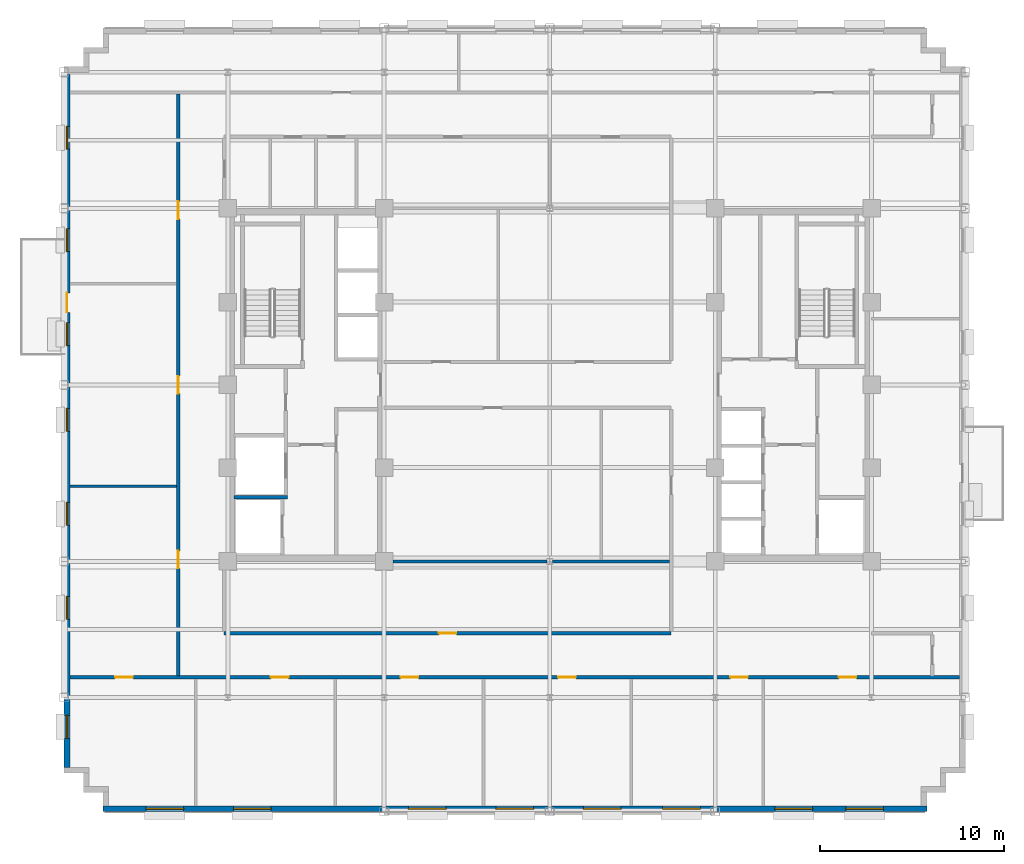
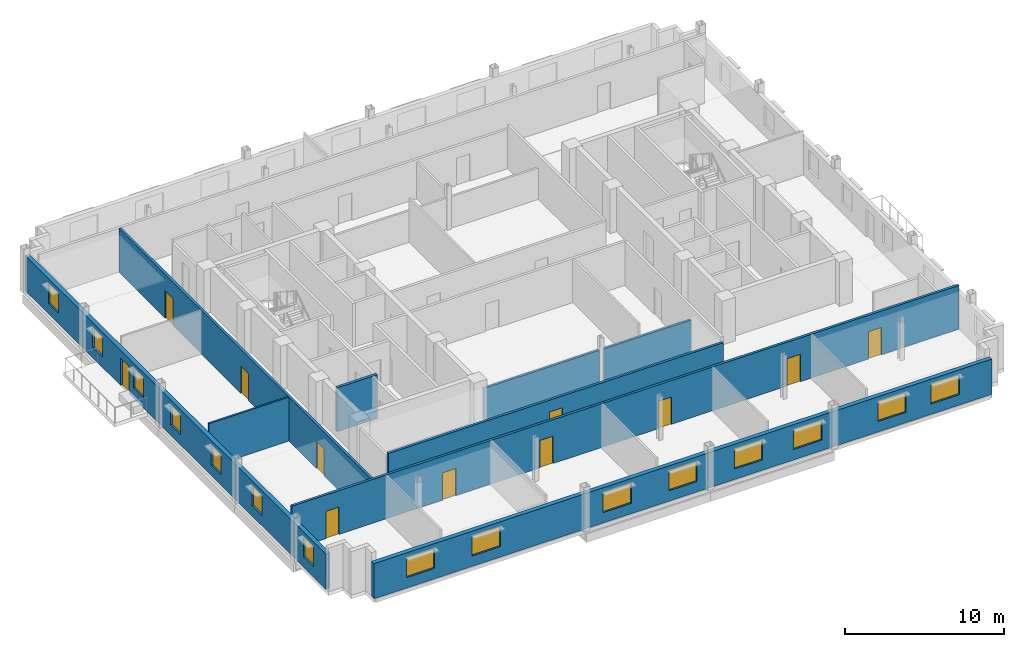
# One storey, part 7 of 15: 15 windows, 11 doors, 9 walls, 26 openings.
"""IFC4 building model written with IfcOpenShell, lengths in metres."""

from ifc_helpers import new_model, si_unit, direction, frame, frame_2d, origin, place, context, subcontext, project, spatial, rectangle, extrude, source, transform, mapped, material, layer, layer_set, type_object, type_shapes, element, fill, save


model = new_model("IFC4")

# Units and contexts
model_context = context("Model", 3, precision=1e-05, world=origin(), true_north=direction((0.0, 1.0)))
body_context = subcontext(model_context, "Body", "Model", "MODEL_VIEW")
ifc_project = project(units=[si_unit("LENGTHUNIT", "METRE"), si_unit("AREAUNIT", "SQUARE_METRE"), si_unit("VOLUMEUNIT", "CUBIC_METRE"), si_unit("PLANEANGLEUNIT", "RADIAN"), si_unit("MASSUNIT", "GRAM", prefix="KILO")], contexts=[model_context])

# Site, building, storey
site_placement = place(None, origin())
site = spatial("IfcSite", under=ifc_project, at=site_placement, CompositionType="ELEMENT")
building_placement = place(site_placement, origin())
building = spatial("IfcBuilding", under=site, at=building_placement, Name="Nuvemarco Arch Tower", CompositionType="ELEMENT")
storey_placement = place(building_placement, frame((0.0, 0.0, 198.199951171875)))
storey = spatial("IfcBuildingStorey", under=building, at=storey_placement, Name="L52", CompositionType="ELEMENT", Elevation=198.199951171875)

# Wall, openings, windows
ifc_material_1 = material(Name="Precast concrete C45/55", Category="concrete")
ifc_layer_1 = layer(ifc_material_1, 0.31005859375, Name="EW-UPP-310")
ifc_layer_set_1 = layer_set([ifc_layer_1], Name="Precast concrete C45/55")
wall_type_1 = type_object("IfcWallType", Name="EW-UPP-310", PredefinedType="STANDARD", material=ifc_layer_set_1)
wall_1_placement = place(storey_placement, frame((-24.300048828125, -23.044921875, 0.0), z_axis=(0.0, 0.0, 1.0), x_axis=(1.0, 0.0, 0.0)))
wall_1 = element("IfcWall", 1, at=wall_1_placement, inside=storey, type_object=wall_type_1, Name="L52 exterior precast facade wall 1", PredefinedType="STANDARD", context=body_context, shape_type="SweptSolid", body=[
    extrude(rectangle(XDim=44.800048828125, YDim=0.31005859375, at=frame_2d((22.39990234375, 0.0))), origin(), (0.0, 0.0, 1.0), 2.705078125),
])
opening_1_placement = place(wall_1_placement, frame((2.352783203125, 0.0, 0.800048828125)))
opening_1 = element("IfcOpeningElement", 2, at=opening_1_placement, cuts=wall_1, Name="Opening WN-12", PredefinedType="OPENING", context=body_context, shape_type="SweptSolid", body=[
    extrude(rectangle(XDim=2.050048828125, YDim=1.52001953125, at=frame_2d((1.02490234375, 0.760009765625))), frame((0.0, 0.1650390625, 0.0), z_axis=(0.0, -1.0, 0.0), x_axis=(1.0, 0.0, 0.0)), (0.0, 0.0, 1.0), 0.330078125),
])
opening_2_placement = place(wall_1_placement, frame((7.1083984375, 0.0, 0.800048828125)))
opening_2 = element("IfcOpeningElement", 3, at=opening_2_placement, cuts=wall_1, Name="Opening WN-12", PredefinedType="OPENING", context=body_context, shape_type="SweptSolid", body=[
    extrude(rectangle(XDim=2.050048828125, YDim=1.52001953125, at=frame_2d((1.02490234375, 0.760009765625))), frame((0.0, 0.1650390625, 0.0), z_axis=(0.0, -1.0, 0.0), x_axis=(1.0, 0.0, 0.0)), (0.0, 0.0, 1.0), 0.330078125),
])
opening_3_placement = place(wall_1_placement, frame((16.619384765625, 0.0, 0.800048828125)))
opening_3 = element("IfcOpeningElement", 4, at=opening_3_placement, cuts=wall_1, Name="Opening WN-12", PredefinedType="OPENING", context=body_context, shape_type="SweptSolid", body=[
    extrude(rectangle(XDim=2.050048828125, YDim=1.52001953125, at=frame_2d((1.02490234375, 0.760009765625))), frame((0.0, 0.1650390625, 0.0), z_axis=(0.0, -1.0, 0.0), x_axis=(1.0, 0.0, 0.0)), (0.0, 0.0, 1.0), 0.330078125),
])
opening_4_placement = place(wall_1_placement, frame((21.375, 0.0, 0.800048828125)))
opening_4 = element("IfcOpeningElement", 5, at=opening_4_placement, cuts=wall_1, Name="Opening WN-12", PredefinedType="OPENING", context=body_context, shape_type="SweptSolid", body=[
    extrude(rectangle(XDim=2.050048828125, YDim=1.52001953125, at=frame_2d((1.02490234375, 0.760009765625))), frame((0.0, 0.1650390625, 0.0), z_axis=(0.0, -1.0, 0.0), x_axis=(1.0, 0.0, 0.0)), (0.0, 0.0, 1.0), 0.330078125),
])
opening_5_placement = place(wall_1_placement, frame((26.130615234375, 0.0, 0.800048828125)))
opening_5 = element("IfcOpeningElement", 6, at=opening_5_placement, cuts=wall_1, Name="Opening WN-12", PredefinedType="OPENING", context=body_context, shape_type="SweptSolid", body=[
    extrude(rectangle(XDim=2.050048828125, YDim=1.52001953125, at=frame_2d((1.02490234375, 0.760009765625))), frame((0.0, 0.1650390625, 0.0), z_axis=(0.0, -1.0, 0.0), x_axis=(1.0, 0.0, 0.0)), (0.0, 0.0, 1.0), 0.330078125),
])
opening_6_placement = place(wall_1_placement, frame((30.43603515625, 0.0, 0.800048828125)))
opening_6 = element("IfcOpeningElement", 7, at=opening_6_placement, cuts=wall_1, Name="Opening WN-12", PredefinedType="OPENING", context=body_context, shape_type="SweptSolid", body=[
    extrude(rectangle(XDim=2.050048828125, YDim=1.52001953125, at=frame_2d((1.02490234375, 0.760009765625))), frame((0.0, 0.1650390625, 0.0), z_axis=(0.0, -1.0, 0.0), x_axis=(1.0, 0.0, 0.0)), (0.0, 0.0, 1.0), 0.330078125),
])
opening_7_placement = place(wall_1_placement, frame((36.541748046875, 0.0, 0.800048828125)))
opening_7 = element("IfcOpeningElement", 8, at=opening_7_placement, cuts=wall_1, Name="Opening WN-12", PredefinedType="OPENING", context=body_context, shape_type="SweptSolid", body=[
    extrude(rectangle(XDim=2.050048828125, YDim=1.52001953125, at=frame_2d((1.02490234375, 0.760009765625))), frame((0.0, 0.1650390625, 0.0), z_axis=(0.0, -1.0, 0.0), x_axis=(1.0, 0.0, 0.0)), (0.0, 0.0, 1.0), 0.330078125),
])
opening_8_placement = place(wall_1_placement, frame((40.397216796875, 0.0, 0.800048828125)))
opening_8 = element("IfcOpeningElement", 9, at=opening_8_placement, cuts=wall_1, Name="Opening WN-12", PredefinedType="OPENING", context=body_context, shape_type="SweptSolid", body=[
    extrude(rectangle(XDim=2.050048828125, YDim=1.52001953125, at=frame_2d((1.02490234375, 0.760009765625))), frame((0.0, 0.1650390625, 0.0), z_axis=(0.0, -1.0, 0.0), x_axis=(1.0, 0.0, 0.0)), (0.0, 0.0, 1.0), 0.330078125),
])
ifc_material_2 = material(Name="Insulated solar-control glass", Category="glass")
window_type_1 = type_object("IfcWindowType", Name="WN-SET-2050x1520", PartitioningType="DOUBLE_PANEL_VERTICAL", PredefinedType="WINDOW", material=ifc_material_2)
shared_shape_1 = source(origin(), body_context, "Body", "SweptSolid", [
    extrude(rectangle(XDim=2.050048828125, YDim=1.52001953125, at=frame_2d((1.02490234375, 0.760009765625))), frame((0.0, 0.030029296875, 0.0), z_axis=(0.0, -1.0, 0.0), x_axis=(1.0, 0.0, 0.0)), (0.0, 0.0, 1.0), 0.06005859375),
])
type_shapes(window_type_1, [shared_shape_1])
window_1_placement = place(opening_1_placement, origin())
window_1 = element("IfcWindow", 10, at=window_1_placement, inside=storey, type_object=window_type_1, Name="L52 punched facade window 1", OverallHeight=1.52001953125, OverallWidth=2.050048828125, PartitioningType="SINGLE_PANEL", PredefinedType="WINDOW", context=body_context, shape_type="MappedRepresentation", body=[
    mapped(shared_shape_1, transform((0.0, 0.0, 0.0), scale=1.0)),
])
fill(opening_1, window_1)
window_2_placement = place(opening_2_placement, origin())
window_2 = element("IfcWindow", 11, at=window_2_placement, inside=storey, type_object=window_type_1, Name="L52 punched facade window 2", OverallHeight=1.52001953125, OverallWidth=2.050048828125, PartitioningType="SINGLE_PANEL", PredefinedType="WINDOW", context=body_context, shape_type="MappedRepresentation", body=[
    mapped(shared_shape_1, transform((0.0, 0.0, 0.0), scale=1.0)),
])
fill(opening_2, window_2)
window_3_placement = place(opening_3_placement, origin())
window_3 = element("IfcWindow", 12, at=window_3_placement, inside=storey, type_object=window_type_1, Name="L52 punched facade window 4", OverallHeight=1.52001953125, OverallWidth=2.050048828125, PartitioningType="SINGLE_PANEL", PredefinedType="WINDOW", context=body_context, shape_type="MappedRepresentation", body=[
    mapped(shared_shape_1, transform((0.0, 0.0, 0.0), scale=1.0)),
])
fill(opening_3, window_3)
window_4_placement = place(opening_4_placement, origin())
window_4 = element("IfcWindow", 13, at=window_4_placement, inside=storey, type_object=window_type_1, Name="L52 punched facade window 5", OverallHeight=1.52001953125, OverallWidth=2.050048828125, PartitioningType="SINGLE_PANEL", PredefinedType="WINDOW", context=body_context, shape_type="MappedRepresentation", body=[
    mapped(shared_shape_1, transform((0.0, 0.0, 0.0), scale=1.0)),
])
fill(opening_4, window_4)
window_5_placement = place(opening_5_placement, origin())
window_5 = element("IfcWindow", 14, at=window_5_placement, inside=storey, type_object=window_type_1, Name="L52 punched facade window 6", OverallHeight=1.52001953125, OverallWidth=2.050048828125, PartitioningType="SINGLE_PANEL", PredefinedType="WINDOW", context=body_context, shape_type="MappedRepresentation", body=[
    mapped(shared_shape_1, transform((0.0, 0.0, 0.0), scale=1.0)),
])
fill(opening_5, window_5)
window_6_placement = place(opening_6_placement, origin())
window_6 = element("IfcWindow", 15, at=window_6_placement, inside=storey, type_object=window_type_1, Name="L52 punched facade window 7", OverallHeight=1.52001953125, OverallWidth=2.050048828125, PartitioningType="SINGLE_PANEL", PredefinedType="WINDOW", context=body_context, shape_type="MappedRepresentation", body=[
    mapped(shared_shape_1, transform((0.0, 0.0, 0.0), scale=1.0)),
])
fill(opening_6, window_6)
window_7_placement = place(opening_7_placement, origin())
window_7 = element("IfcWindow", 16, at=window_7_placement, inside=storey, type_object=window_type_1, Name="L52 punched facade window 8", OverallHeight=1.52001953125, OverallWidth=2.050048828125, PartitioningType="SINGLE_PANEL", PredefinedType="WINDOW", context=body_context, shape_type="MappedRepresentation", body=[
    mapped(shared_shape_1, transform((0.0, 0.0, 0.0), scale=1.0)),
])
fill(opening_7, window_7)
window_8_placement = place(opening_8_placement, origin())
window_8 = element("IfcWindow", 17, at=window_8_placement, inside=storey, type_object=window_type_1, Name="L52 punched facade window 9", OverallHeight=1.52001953125, OverallWidth=2.050048828125, PartitioningType="SINGLE_PANEL", PredefinedType="WINDOW", context=body_context, shape_type="MappedRepresentation", body=[
    mapped(shared_shape_1, transform((0.0, 0.0, 0.0), scale=1.0)),
])
fill(opening_8, window_8)

# Wall, openings, door, windows
wall_2_placement = place(storey_placement, frame((-26.2451171875, -20.7939453125, 0.0), z_axis=(0.0, 0.0, 1.0), x_axis=(0.0, 1.0, 0.0)))
wall_2 = element("IfcWall", 18, at=wall_2_placement, inside=storey, type_object=wall_type_1, Name="L52 exterior precast facade wall 16", PredefinedType="STANDARD", context=body_context, shape_type="SweptSolid", body=[
    extrude(rectangle(XDim=37.787841796875, YDim=0.31005859375, at=frame_2d((18.89404296875, 0.0))), origin(), (0.0, 0.0, 1.0), 2.705078125),
])
opening_9_placement = place(wall_2_placement, frame((24.743896484375, 0.0, 0.0)))
opening_9 = element("IfcOpeningElement", 19, at=opening_9_placement, cuts=wall_2, Name="Opening ED-5", PredefinedType="OPENING", context=body_context, shape_type="SweptSolid", body=[
    extrude(rectangle(XDim=1.050048828125, YDim=2.10009765625, at=frame_2d((0.52490234375, 1.050048828125))), frame((0.0, 0.1650390625, 0.0), z_axis=(0.0, -1.0, 0.0), x_axis=(1.0, 0.0, 0.0)), (0.0, 0.0, 1.0), 0.330078125),
])
opening_10_placement = place(wall_2_placement, frame((1.581298828125, 0.0, 0.800048828125)))
opening_10 = element("IfcOpeningElement", 20, at=opening_10_placement, cuts=wall_2, Name="Opening WN-13", PredefinedType="OPENING", context=body_context, shape_type="SweptSolid", body=[
    extrude(rectangle(XDim=1.25, YDim=1.52001953125, at=frame_2d((0.625, 0.760009765625))), frame((0.0, 0.1650390625, 0.0), z_axis=(0.0, -1.0, 0.0), x_axis=(1.0, 0.0, 0.0)), (0.0, 0.0, 1.0), 0.330078125),
])
opening_11_placement = place(wall_2_placement, frame((8.0439453125, 0.0, 0.800048828125)))
opening_11 = element("IfcOpeningElement", 21, at=opening_11_placement, cuts=wall_2, Name="Opening WN-13", PredefinedType="OPENING", context=body_context, shape_type="SweptSolid", body=[
    extrude(rectangle(XDim=1.25, YDim=1.52001953125, at=frame_2d((0.625, 0.760009765625))), frame((0.0, 0.1650390625, 0.0), z_axis=(0.0, -1.0, 0.0), x_axis=(1.0, 0.0, 0.0)), (0.0, 0.0, 1.0), 0.330078125),
])
opening_12_placement = place(wall_2_placement, frame((13.156494140625, 0.0, 0.800048828125)))
opening_12 = element("IfcOpeningElement", 22, at=opening_12_placement, cuts=wall_2, Name="Opening WN-13", PredefinedType="OPENING", context=body_context, shape_type="SweptSolid", body=[
    extrude(rectangle(XDim=1.25, YDim=1.52001953125, at=frame_2d((0.625, 0.760009765625))), frame((0.0, 0.1650390625, 0.0), z_axis=(0.0, -1.0, 0.0), x_axis=(1.0, 0.0, 0.0)), (0.0, 0.0, 1.0), 0.330078125),
])
opening_13_placement = place(wall_2_placement, frame((18.26904296875, 0.0, 0.800048828125)))
opening_13 = element("IfcOpeningElement", 23, at=opening_13_placement, cuts=wall_2, Name="Opening WN-13", PredefinedType="OPENING", context=body_context, shape_type="SweptSolid", body=[
    extrude(rectangle(XDim=1.25, YDim=1.52001953125, at=frame_2d((0.625, 0.760009765625))), frame((0.0, 0.1650390625, 0.0), z_axis=(0.0, -1.0, 0.0), x_axis=(1.0, 0.0, 0.0)), (0.0, 0.0, 1.0), 0.330078125),
])
opening_14_placement = place(wall_2_placement, frame((22.931640625, 0.0, 0.800048828125)))
opening_14 = element("IfcOpeningElement", 24, at=opening_14_placement, cuts=wall_2, Name="Opening WN-13", PredefinedType="OPENING", context=body_context, shape_type="SweptSolid", body=[
    extrude(rectangle(XDim=1.25, YDim=1.52001953125, at=frame_2d((0.625, 0.760009765625))), frame((0.0, 0.1650390625, 0.0), z_axis=(0.0, -1.0, 0.0), x_axis=(1.0, 0.0, 0.0)), (0.0, 0.0, 1.0), 0.330078125),
])
opening_15_placement = place(wall_2_placement, frame((28.044189453125, 0.0, 0.800048828125)))
opening_15 = element("IfcOpeningElement", 25, at=opening_15_placement, cuts=wall_2, Name="Opening WN-13", PredefinedType="OPENING", context=body_context, shape_type="SweptSolid", body=[
    extrude(rectangle(XDim=1.25, YDim=1.52001953125, at=frame_2d((0.625, 0.760009765625))), frame((0.0, 0.1650390625, 0.0), z_axis=(0.0, -1.0, 0.0), x_axis=(1.0, 0.0, 0.0)), (0.0, 0.0, 1.0), 0.330078125),
])
opening_16_placement = place(wall_2_placement, frame((33.606689453125, 0.0, 0.800048828125)))
opening_16 = element("IfcOpeningElement", 26, at=opening_16_placement, cuts=wall_2, Name="Opening WN-13", PredefinedType="OPENING", context=body_context, shape_type="SweptSolid", body=[
    extrude(rectangle(XDim=1.25, YDim=1.52001953125, at=frame_2d((0.625, 0.760009765625))), frame((0.0, 0.1650390625, 0.0), z_axis=(0.0, -1.0, 0.0), x_axis=(1.0, 0.0, 0.0)), (0.0, 0.0, 1.0), 0.330078125),
])
ifc_material_3 = material(Name="Anodised bronze and laminated glass", Category="glass")
door_type_1 = type_object("IfcDoorType", Name="DR-EXT-TERR", OperationType="NOTDEFINED", PredefinedType="DOOR", material=ifc_material_3)
shared_shape_2 = source(origin(), body_context, "Body", "SweptSolid", [
    extrude(rectangle(XDim=1.050048828125, YDim=2.10009765625, at=frame_2d((0.52490234375, 1.050048828125))), frame((0.0, 0.02490234375, 0.0), z_axis=(0.0, -1.0, 0.0), x_axis=(1.0, 0.0, 0.0)), (0.0, 0.0, 1.0), 0.050048828125),
])
type_shapes(door_type_1, [shared_shape_2])
door_1_placement = place(opening_9_placement, origin())
door_1 = element("IfcDoor", 27, at=door_1_placement, inside=storey, type_object=door_type_1, Name="L52 spiral terrace access door", OperationType="SINGLE_SWING_LEFT", OverallHeight=2.10009765625, OverallWidth=1.050048828125, PredefinedType="DOOR", context=body_context, shape_type="MappedRepresentation", body=[
    mapped(shared_shape_2, transform((0.0, 0.0, 0.0), scale=1.0)),
])
fill(opening_9, door_1)
window_type_2 = type_object("IfcWindowType", Name="WN-SET-1250x1520", PartitioningType="SINGLE_PANEL", PredefinedType="WINDOW", material=ifc_material_2)
shared_shape_3 = source(origin(), body_context, "Body", "SweptSolid", [
    extrude(rectangle(XDim=1.25, YDim=1.52001953125, at=frame_2d((0.625, 0.760009765625))), frame((0.0, 0.030029296875, 0.0), z_axis=(0.0, -1.0, 0.0), x_axis=(1.0, 0.0, 0.0)), (0.0, 0.0, 1.0), 0.06005859375),
])
type_shapes(window_type_2, [shared_shape_3])
window_9_placement = place(opening_10_placement, origin())
window_9 = element("IfcWindow", 28, at=window_9_placement, inside=storey, type_object=window_type_2, Name="L52 punched facade window 1", OverallHeight=1.52001953125, OverallWidth=1.25, PartitioningType="SINGLE_PANEL", PredefinedType="WINDOW", context=body_context, shape_type="MappedRepresentation", body=[
    mapped(shared_shape_3, transform((0.0, 0.0, 0.0), scale=1.0)),
])
fill(opening_10, window_9)
window_10_placement = place(opening_11_placement, origin())
window_10 = element("IfcWindow", 29, at=window_10_placement, inside=storey, type_object=window_type_2, Name="L52 punched facade window 2", OverallHeight=1.52001953125, OverallWidth=1.25, PartitioningType="SINGLE_PANEL", PredefinedType="WINDOW", context=body_context, shape_type="MappedRepresentation", body=[
    mapped(shared_shape_3, transform((0.0, 0.0, 0.0), scale=1.0)),
])
fill(opening_11, window_10)
window_11_placement = place(opening_12_placement, origin())
window_11 = element("IfcWindow", 30, at=window_11_placement, inside=storey, type_object=window_type_2, Name="L52 punched facade window 3", OverallHeight=1.52001953125, OverallWidth=1.25, PartitioningType="SINGLE_PANEL", PredefinedType="WINDOW", context=body_context, shape_type="MappedRepresentation", body=[
    mapped(shared_shape_3, transform((0.0, 0.0, 0.0), scale=1.0)),
])
fill(opening_12, window_11)
window_12_placement = place(opening_13_placement, origin())
window_12 = element("IfcWindow", 31, at=window_12_placement, inside=storey, type_object=window_type_2, Name="L52 punched facade window 4", OverallHeight=1.52001953125, OverallWidth=1.25, PartitioningType="SINGLE_PANEL", PredefinedType="WINDOW", context=body_context, shape_type="MappedRepresentation", body=[
    mapped(shared_shape_3, transform((0.0, 0.0, 0.0), scale=1.0)),
])
fill(opening_13, window_12)
window_13_placement = place(opening_14_placement, origin())
window_13 = element("IfcWindow", 32, at=window_13_placement, inside=storey, type_object=window_type_2, Name="L52 punched facade window 5", OverallHeight=1.52001953125, OverallWidth=1.25, PartitioningType="SINGLE_PANEL", PredefinedType="WINDOW", context=body_context, shape_type="MappedRepresentation", body=[
    mapped(shared_shape_3, transform((0.0, 0.0, 0.0), scale=1.0)),
])
fill(opening_14, window_13)
window_14_placement = place(opening_15_placement, origin())
window_14 = element("IfcWindow", 33, at=window_14_placement, inside=storey, type_object=window_type_2, Name="L52 punched facade window 6", OverallHeight=1.52001953125, OverallWidth=1.25, PartitioningType="SINGLE_PANEL", PredefinedType="WINDOW", context=body_context, shape_type="MappedRepresentation", body=[
    mapped(shared_shape_3, transform((0.0, 0.0, 0.0), scale=1.0)),
])
fill(opening_15, window_14)
window_15_placement = place(opening_16_placement, origin())
window_15 = element("IfcWindow", 34, at=window_15_placement, inside=storey, type_object=window_type_2, Name="L52 punched facade window 7", OverallHeight=1.52001953125, OverallWidth=1.25, PartitioningType="SINGLE_PANEL", PredefinedType="WINDOW", context=body_context, shape_type="MappedRepresentation", body=[
    mapped(shared_shape_3, transform((0.0, 0.0, 0.0), scale=1.0)),
])
fill(opening_16, window_15)

# Wall, openings, doors
ifc_material_4 = material(Name="Fire-rated gypsum drywall partition")
ifc_layer_2 = layer(ifc_material_4, 0.179931640625, Name="WL-CORR-180")
ifc_layer_set_2 = layer_set([ifc_layer_2], Name="Fire-rated gypsum drywall partition")
wall_type_2 = type_object("IfcWallType", Name="WL-CORR-180", PredefinedType="PARTITIONING", material=ifc_layer_set_2)
wall_3_placement = place(storey_placement, frame((-26.090087890625, -15.89990234375, 0.0), z_axis=(0.0, 0.0, 1.0), x_axis=(1.0, 0.0, 0.0)))
wall_3 = element("IfcWall", 35, at=wall_3_placement, inside=storey, type_object=wall_type_2, Name="L52 interior wall IW-L52-001", PredefinedType="PARTITIONING", context=body_context, shape_type="SweptSolid", body=[
    extrude(rectangle(XDim=48.380126953125, YDim=0.179931640625, at=frame_2d((24.18994140625, 0.0))), origin(), (0.0, 0.0, 1.0), 3.360107421875),
])
opening_17_placement = place(wall_3_placement, frame((41.81005859375, 0.0, 0.0)))
opening_17 = element("IfcOpeningElement", 36, at=opening_17_placement, cuts=wall_3, Name="Opening FD-5", PredefinedType="OPENING", context=body_context, shape_type="SweptSolid", body=[
    extrude(rectangle(XDim=0.9599609375, YDim=2.10009765625, at=frame_2d((0.47998046875, 1.050048828125))), frame((0.0, 0.099853515625, 0.0), z_axis=(0.0, -1.0, 0.0), x_axis=(1.0, 0.0, 0.0)), (0.0, 0.0, 1.0), 0.199951171875),
])
opening_18_placement = place(wall_3_placement, frame((17.985107421875, 0.0, 0.0)))
opening_18 = element("IfcOpeningElement", 37, at=opening_18_placement, cuts=wall_3, Name="Opening FD-5", PredefinedType="OPENING", context=body_context, shape_type="SweptSolid", body=[
    extrude(rectangle(XDim=0.9599609375, YDim=2.10009765625, at=frame_2d((0.47998046875, 1.050048828125))), frame((0.0, 0.099853515625, 0.0), z_axis=(0.0, -1.0, 0.0), x_axis=(1.0, 0.0, 0.0)), (0.0, 0.0, 1.0), 0.199951171875),
])
opening_19_placement = place(wall_3_placement, frame((26.550048828125, 0.0, 0.0)))
opening_19 = element("IfcOpeningElement", 38, at=opening_19_placement, cuts=wall_3, Name="Opening FD-5", PredefinedType="OPENING", context=body_context, shape_type="SweptSolid", body=[
    extrude(rectangle(XDim=0.9599609375, YDim=2.10009765625, at=frame_2d((0.47998046875, 1.050048828125))), frame((0.0, 0.099853515625, 0.0), z_axis=(0.0, -1.0, 0.0), x_axis=(1.0, 0.0, 0.0)), (0.0, 0.0, 1.0), 0.199951171875),
])
opening_20_placement = place(wall_3_placement, frame((10.93505859375, 0.0, 0.0)))
opening_20 = element("IfcOpeningElement", 39, at=opening_20_placement, cuts=wall_3, Name="Opening FD-5", PredefinedType="OPENING", context=body_context, shape_type="SweptSolid", body=[
    extrude(rectangle(XDim=0.9599609375, YDim=2.10009765625, at=frame_2d((0.47998046875, 1.050048828125))), frame((0.0, 0.099853515625, 0.0), z_axis=(0.0, -1.0, 0.0), x_axis=(1.0, 0.0, 0.0)), (0.0, 0.0, 1.0), 0.199951171875),
])
opening_21_placement = place(wall_3_placement, frame((35.909912109375, 0.0, 0.0)))
opening_21 = element("IfcOpeningElement", 40, at=opening_21_placement, cuts=wall_3, Name="Opening FD-5", PredefinedType="OPENING", context=body_context, shape_type="SweptSolid", body=[
    extrude(rectangle(XDim=0.9599609375, YDim=2.10009765625, at=frame_2d((0.47998046875, 1.050048828125))), frame((0.0, 0.099853515625, 0.0), z_axis=(0.0, -1.0, 0.0), x_axis=(1.0, 0.0, 0.0)), (0.0, 0.0, 1.0), 0.199951171875),
])
opening_22_placement = place(wall_3_placement, frame((2.465087890625, 0.0, 0.0)))
opening_22 = element("IfcOpeningElement", 41, at=opening_22_placement, cuts=wall_3, Name="Opening FD-5", PredefinedType="OPENING", context=body_context, shape_type="SweptSolid", body=[
    extrude(rectangle(XDim=0.9599609375, YDim=2.10009765625, at=frame_2d((0.47998046875, 1.050048828125))), frame((0.0, 0.099853515625, 0.0), z_axis=(0.0, -1.0, 0.0), x_axis=(1.0, 0.0, 0.0)), (0.0, 0.0, 1.0), 0.199951171875),
])
ifc_material_5 = material(Name="Timber fire door", Category="wood")
door_type_2 = type_object("IfcDoorType", Name="DR-CORR-FD", OperationType="NOTDEFINED", PredefinedType="DOOR", material=ifc_material_5)
shared_shape_4 = source(origin(), body_context, "Body", "SweptSolid", [
    extrude(rectangle(XDim=0.9599609375, YDim=2.10009765625, at=frame_2d((0.47998046875, 1.050048828125))), frame((0.0, 0.02490234375, 0.0), z_axis=(0.0, -1.0, 0.0), x_axis=(1.0, 0.0, 0.0)), (0.0, 0.0, 1.0), 0.050048828125),
])
type_shapes(door_type_2, [shared_shape_4])
door_2_placement = place(opening_17_placement, origin())
door_2 = element("IfcDoor", 42, at=door_2_placement, inside=storey, type_object=door_type_2, Name="L52 door DR-L52-S_6", OperationType="SINGLE_SWING_RIGHT", OverallHeight=2.10009765625, OverallWidth=0.9599609375, PredefinedType="DOOR", context=body_context, shape_type="MappedRepresentation", body=[
    mapped(shared_shape_4, transform((0.0, 0.0, 0.0), scale=1.0)),
])
fill(opening_17, door_2)
door_3_placement = place(opening_18_placement, origin())
door_3 = element("IfcDoor", 43, at=door_3_placement, inside=storey, type_object=door_type_2, Name="L52 door DR-L52-S_3", OperationType="SINGLE_SWING_RIGHT", OverallHeight=2.10009765625, OverallWidth=0.9599609375, PredefinedType="DOOR", context=body_context, shape_type="MappedRepresentation", body=[
    mapped(shared_shape_4, transform((0.0, 0.0, 0.0), scale=1.0)),
])
fill(opening_18, door_3)
door_4_placement = place(opening_19_placement, origin())
door_4 = element("IfcDoor", 44, at=door_4_placement, inside=storey, type_object=door_type_2, Name="L52 door DR-L52-S_4", OperationType="SINGLE_SWING_LEFT", OverallHeight=2.10009765625, OverallWidth=0.9599609375, PredefinedType="DOOR", context=body_context, shape_type="MappedRepresentation", body=[
    mapped(shared_shape_4, transform((0.0, 0.0, 0.0), scale=1.0)),
])
fill(opening_19, door_4)
door_5_placement = place(opening_20_placement, origin())
door_5 = element("IfcDoor", 45, at=door_5_placement, inside=storey, type_object=door_type_2, Name="L52 door DR-L52-S_2", OperationType="SINGLE_SWING_RIGHT", OverallHeight=2.10009765625, OverallWidth=0.9599609375, PredefinedType="DOOR", context=body_context, shape_type="MappedRepresentation", body=[
    mapped(shared_shape_4, transform((0.0, 0.0, 0.0), scale=1.0)),
])
fill(opening_20, door_5)
door_6_placement = place(opening_21_placement, origin())
door_6 = element("IfcDoor", 46, at=door_6_placement, inside=storey, type_object=door_type_2, Name="L52 door DR-L52-S_5", OperationType="SINGLE_SWING_RIGHT", OverallHeight=2.10009765625, OverallWidth=0.9599609375, PredefinedType="DOOR", context=body_context, shape_type="MappedRepresentation", body=[
    mapped(shared_shape_4, transform((0.0, 0.0, 0.0), scale=1.0)),
])
fill(opening_21, door_6)
door_7_placement = place(opening_22_placement, origin())
door_7 = element("IfcDoor", 47, at=door_7_placement, inside=storey, type_object=door_type_2, Name="L52 door DR-L52-S_1", OperationType="SINGLE_SWING_LEFT", OverallHeight=2.10009765625, OverallWidth=0.9599609375, PredefinedType="DOOR", context=body_context, shape_type="MappedRepresentation", body=[
    mapped(shared_shape_4, transform((0.0, 0.0, 0.0), scale=1.0)),
])
fill(opening_22, door_7)

# Wall, opening, door
wall_4_placement = place(storey_placement, frame((-17.699951171875, -13.5, 0.0), z_axis=(0.0, 0.0, 1.0), x_axis=(1.0, 0.0, 0.0)))
wall_4 = element("IfcWall", 48, at=wall_4_placement, inside=storey, type_object=wall_type_2, Name="L52 interior wall IW-L52-002", PredefinedType="PARTITIONING", context=body_context, shape_type="SweptSolid", body=[
    extrude(rectangle(XDim=24.300048828125, YDim=0.179931640625, at=frame_2d((12.14990234375, 0.0))), origin(), (0.0, 0.0, 1.0), 3.008056640625),
])
opening_23_placement = place(wall_4_placement, frame((11.669921875, 0.0, 0.0)))
opening_23 = element("IfcOpeningElement", 49, at=opening_23_placement, cuts=wall_4, Name="Opening FD-5", PredefinedType="OPENING", context=body_context, shape_type="SweptSolid", body=[
    extrude(rectangle(XDim=0.9599609375, YDim=2.10009765625, at=frame_2d((0.47998046875, 1.050048828125))), frame((0.0, 0.099853515625, 0.0), z_axis=(0.0, -1.0, 0.0), x_axis=(1.0, 0.0, 0.0)), (0.0, 0.0, 1.0), 0.199951171875),
])
door_8_placement = place(opening_23_placement, origin())
door_8 = element("IfcDoor", 50, at=door_8_placement, inside=storey, type_object=door_type_2, Name="L52 door DR-L52-IN_S1", OperationType="SINGLE_SWING_LEFT", OverallHeight=2.10009765625, OverallWidth=0.9599609375, PredefinedType="DOOR", context=body_context, shape_type="MappedRepresentation", body=[
    mapped(shared_shape_4, transform((0.0, 0.0, 0.0), scale=1.0)),
])
fill(opening_23, door_8)

# Wall, openings, doors
wall_5_placement = place(storey_placement, frame((-20.199951171875, -15.81396484375, 0.0), z_axis=(0.0, 0.0, 1.0), x_axis=(0.0, 1.0, 0.0)))
wall_5 = element("IfcWall", 51, at=wall_5_placement, inside=storey, type_object=wall_type_2, Name="L52 interior wall IW-L52-016", PredefinedType="PARTITIONING", context=body_context, shape_type="SweptSolid", body=[
    extrude(rectangle(XDim=31.6279296875, YDim=0.179931640625, at=frame_2d((15.81396484375, 0.0))), origin(), (0.0, 0.0, 1.0), 3.360107421875),
])
opening_24_placement = place(wall_5_placement, frame((15.333984375, 0.0, 0.0)))
opening_24 = element("IfcOpeningElement", 52, at=opening_24_placement, cuts=wall_5, Name="Opening FD-5", PredefinedType="OPENING", context=body_context, shape_type="SweptSolid", body=[
    extrude(rectangle(XDim=0.9599609375, YDim=2.10009765625, at=frame_2d((0.47998046875, 1.050048828125))), frame((0.0, 0.099853515625, 0.0), z_axis=(0.0, -1.0, 0.0), x_axis=(1.0, 0.0, 0.0)), (0.0, 0.0, 1.0), 0.199951171875),
])
opening_25_placement = place(wall_5_placement, frame((5.833984375, 0.0, 0.0)))
opening_25 = element("IfcOpeningElement", 53, at=opening_25_placement, cuts=wall_5, Name="Opening FD-5", PredefinedType="OPENING", context=body_context, shape_type="SweptSolid", body=[
    extrude(rectangle(XDim=0.9599609375, YDim=2.10009765625, at=frame_2d((0.47998046875, 1.050048828125))), frame((0.0, 0.099853515625, 0.0), z_axis=(0.0, -1.0, 0.0), x_axis=(1.0, 0.0, 0.0)), (0.0, 0.0, 1.0), 0.199951171875),
])
opening_26_placement = place(wall_5_placement, frame((24.833984375, 0.0, 0.0)))
opening_26 = element("IfcOpeningElement", 54, at=opening_26_placement, cuts=wall_5, Name="Opening FD-5", PredefinedType="OPENING", context=body_context, shape_type="SweptSolid", body=[
    extrude(rectangle(XDim=0.9599609375, YDim=2.10009765625, at=frame_2d((0.47998046875, 1.050048828125))), frame((0.0, 0.099853515625, 0.0), z_axis=(0.0, -1.0, 0.0), x_axis=(1.0, 0.0, 0.0)), (0.0, 0.0, 1.0), 0.199951171875),
])
door_9_placement = place(opening_24_placement, origin())
door_9 = element("IfcDoor", 55, at=door_9_placement, inside=storey, type_object=door_type_2, Name="L52 door DR-L52-W_2", OperationType="SINGLE_SWING_LEFT", OverallHeight=2.10009765625, OverallWidth=0.9599609375, PredefinedType="DOOR", context=body_context, shape_type="MappedRepresentation", body=[
    mapped(shared_shape_4, transform((0.0, 0.0, 0.0), scale=1.0)),
])
fill(opening_24, door_9)
door_10_placement = place(opening_25_placement, origin())
door_10 = element("IfcDoor", 56, at=door_10_placement, inside=storey, type_object=door_type_2, Name="L52 door DR-L52-W_1", OperationType="SINGLE_SWING_RIGHT", OverallHeight=2.10009765625, OverallWidth=0.9599609375, PredefinedType="DOOR", context=body_context, shape_type="MappedRepresentation", body=[
    mapped(shared_shape_4, transform((0.0, 0.0, 0.0), scale=1.0)),
])
fill(opening_25, door_10)
door_11_placement = place(opening_26_placement, origin())
door_11 = element("IfcDoor", 57, at=door_11_placement, inside=storey, type_object=door_type_2, Name="L52 door DR-L52-W_3", OperationType="SINGLE_SWING_LEFT", OverallHeight=2.10009765625, OverallWidth=0.9599609375, PredefinedType="DOOR", context=body_context, shape_type="MappedRepresentation", body=[
    mapped(shared_shape_4, transform((0.0, 0.0, 0.0), scale=1.0)),
])
fill(opening_26, door_11)

# Walls
ifc_material_6 = material(Name="Glazed acoustic office partition")
ifc_layer_3 = layer(ifc_material_6, 0.1298828125, Name="WL-EXEC-130")
ifc_layer_set_3 = layer_set([ifc_layer_3], Name="Glazed acoustic office partition")
wall_type_3 = type_object("IfcWallType", Name="WL-EXEC-130", PredefinedType="PARTITIONING", material=ifc_layer_set_3)
wall_6_placement = place(storey_placement, frame((-26.090087890625, -5.5, 0.0), z_axis=(0.0, 0.0, 1.0), x_axis=(1.0, 0.0, 0.0)))
element("IfcWall", 58, at=wall_6_placement, inside=storey, type_object=wall_type_3, Name="L52 interior wall IW-L52-006", PredefinedType="PARTITIONING", context=body_context, shape_type="SweptSolid", body=[
    extrude(rectangle(XDim=5.80419921875, YDim=0.1298828125, at=frame_2d((2.902099609375, 0.0))), origin(), (0.0, 0.0, 1.0), 3.360107421875),
])
ifc_material_7 = material(Name="Concrete C50/60", Category="concrete")
ifc_layer_4 = layer(ifc_material_7, 0.199951171875, Name="WL-SHAFT-220")
ifc_layer_set_4 = layer_set([ifc_layer_4], Name="Concrete C50/60")
wall_type_4 = type_object("IfcWallType", Name="WL-SHAFT-220", PredefinedType="SHEAR", material=ifc_layer_set_4)
wall_7_placement = place(storey_placement, frame((-17.155029296875, -6.10009765625, 0.0), z_axis=(0.0, 0.0, 1.0), x_axis=(1.0, 0.0, 0.0)))
element("IfcWall", 59, at=wall_7_placement, inside=storey, type_object=wall_type_4, Name="L52 structural shaft wall SW-L52-W-SH1", PredefinedType="SHEAR", context=body_context, shape_type="SweptSolid", body=[
    extrude(rectangle(XDim=2.905029296875, YDim=0.199951171875, at=frame_2d((1.45263671875, 0.0))), origin(), (0.0, 0.0, 1.0), 3.3701171875),
])
ifc_material_8 = material(Name="Acoustic gypsum drywall partition")
ifc_layer_5 = layer(ifc_material_8, 0.159912109375, Name="WL-TENANT-160")
ifc_layer_set_5 = layer_set([ifc_layer_5], Name="Acoustic gypsum drywall partition")
wall_type_5 = type_object("IfcWallType", Name="WL-TENANT-160", PredefinedType="PARTITIONING", material=ifc_layer_set_5)
wall_8_placement = place(storey_placement, frame((-8.529052734375, -9.60009765625, 0.0), z_axis=(0.0, 0.0, 1.0), x_axis=(1.0, 0.0, 0.0)))
element("IfcWall", 60, at=wall_8_placement, inside=storey, type_object=wall_type_5, Name="L52 interior wall IW-L52-004", PredefinedType="PARTITIONING", context=body_context, shape_type="SweptSolid", body=[
    extrude(rectangle(XDim=8.378173828125, YDim=0.159912109375, at=frame_2d((4.18896484375, 0.0))), origin(), (0.0, 0.0, 1.0), 2.405029296875),
])
wall_9_placement = place(storey_placement, frame((0.15087890625, -9.60009765625, 0.0), z_axis=(0.0, 0.0, 1.0), x_axis=(1.0, 0.0, 0.0)))
element("IfcWall", 61, at=wall_9_placement, inside=storey, type_object=wall_type_5, Name="L52 interior wall IW-L52-005", PredefinedType="PARTITIONING", context=body_context, shape_type="SweptSolid", body=[
    extrude(rectangle(XDim=6.363037109375, YDim=0.159912109375, at=frame_2d((3.181640625, 0.0))), origin(), (0.0, 0.0, 1.0), 2.405029296875),
])

save(model, "model.ifc")
